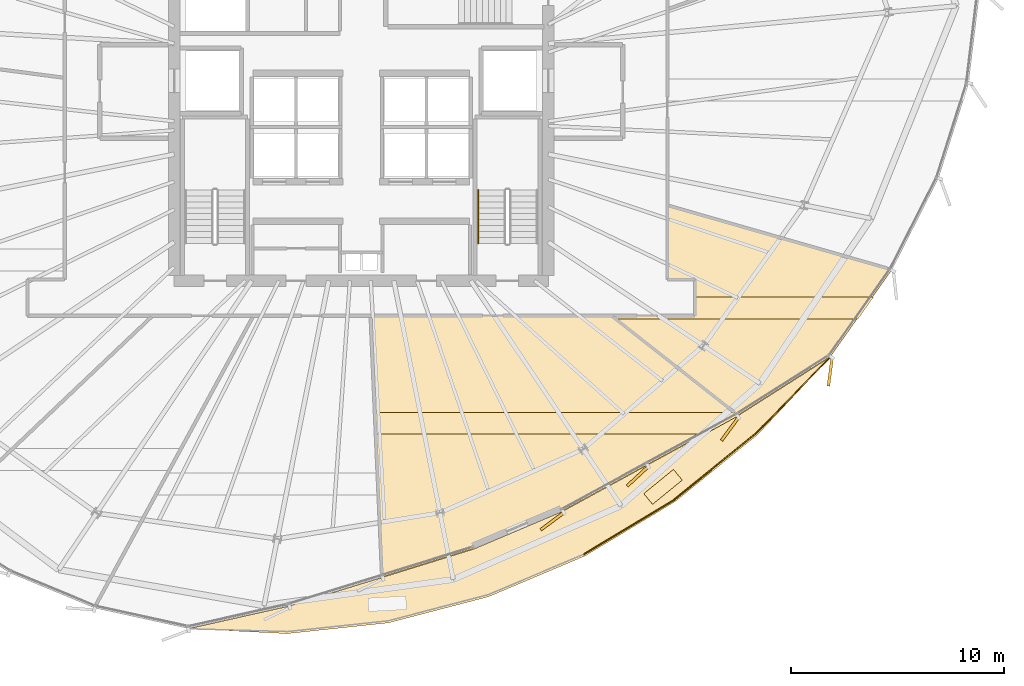
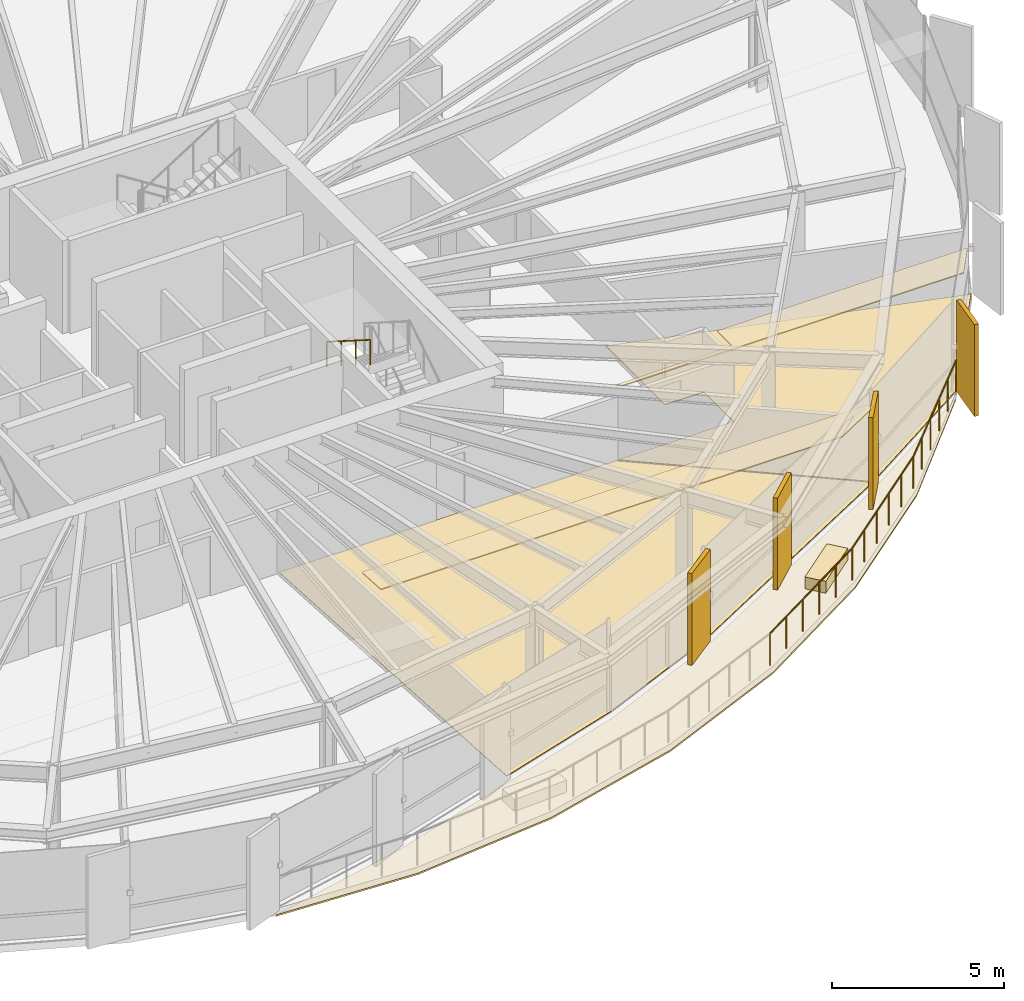
# One storey, part 34 of 36: 10 coverings, 4 railings.
"""IFC4 building model written with IfcOpenShell, lengths in metres."""

from ifc_helpers import new_model, si_unit, direction, frame, origin, origin_2d, place, context, subcontext, project, spatial, polyline, rectangle, circle, outline, extrude, source, transform, mapped, material, layer, layer_set, type_object, element, save


model = new_model("IFC4")

# Units and contexts
model_context = context("Model", 3, precision=1e-05, world=origin(), true_north=direction((0.0, 1.0)))
body_context = subcontext(model_context, "Body", "Model", "MODEL_VIEW")
ifc_project = project(units=[si_unit("LENGTHUNIT", "METRE"), si_unit("AREAUNIT", "SQUARE_METRE"), si_unit("VOLUMEUNIT", "CUBIC_METRE"), si_unit("PLANEANGLEUNIT", "RADIAN"), si_unit("MASSUNIT", "GRAM", prefix="KILO"), si_unit("THERMODYNAMICTEMPERATUREUNIT", "KELVIN")], contexts=[model_context])

# Site, building, storey
site_placement = place(None, origin())
site = spatial("IfcSite", under=ifc_project, at=site_placement, CompositionType="ELEMENT")
building_placement = place(site_placement, origin())
building = spatial("IfcBuilding", under=site, at=building_placement, Name="Kethvar Cultural Tower", CompositionType="ELEMENT")
storey_placement = place(building_placement, frame((0.0, 0.0, 143.0)))
storey = spatial("IfcBuildingStorey", under=building, at=storey_placement, Name="L36", CompositionType="ELEMENT", Elevation=143.0)

# Coverings
ifc_material_1 = material(Name="Acoustic Mineral Fibre Ceiling")
ifc_layer_1 = layer(ifc_material_1, 0.0400390625, Name="Acoustic Mineral Fibre Ceiling")
ifc_layer_set_1 = layer_set([ifc_layer_1], Name="Acoustic Mineral Fibre Ceiling (40 mm)")
covering_type_1 = type_object("IfcCoveringType", Name="CV-ACOUSTIC-CEIL", PredefinedType="CEILING", material=ifc_layer_set_1)
covering_1_placement = place(storey_placement, frame((0.0, 0.0, 2.669921875)))
element("IfcCovering", 1, at=covering_1_placement, inside=storey, type_object=covering_type_1, Name="L36 Room 03 Acoustic Ceiling Panel", PredefinedType="CEILING", context=body_context, shape_type="SweptSolid", body=[
    extrude(outline(polyline([(47.427001953125, 13.906494140625), (64.327392578125, 13.906494140625), (64.526123046875, 13.7392578125), (62.962890625, 12.87646484375), (47.47509765625, 12.87646484375), (47.427001953125, 13.906494140625)])), origin(), (0.0, 0.0, 1.0), 0.0400390625),
])
covering_2_placement = place(storey_placement, frame((0.0, 0.0, 2.669921875)))
element("IfcCovering", 2, at=covering_2_placement, inside=storey, type_object=covering_type_1, Name="L36 Room 04 Acoustic Ceiling Panel", PredefinedType="CEILING", context=body_context, shape_type="SweptSolid", body=[
    extrude(outline(polyline([(58.5615234375, 18.434326171875), (62.47998046875, 18.469970703125), (62.47998046875, 19.333984375), (70.89892578125, 19.333984375), (70.170654296875, 18.303955078125), (58.7255859375, 18.303955078125), (58.5615234375, 18.434326171875)])), origin(), (0.0, 0.0, 1.0), 0.0400390625),
])
ifc_material_2 = material(Name="Architectural Oak Timber", Category="wood")
ifc_layer_2 = layer(ifc_material_2, 0.02490234375, Name="Architectural Oak Timber", Category="wood")
ifc_layer_set_2 = layer_set([ifc_layer_2], Name="Architectural Oak Timber (25 mm)")
covering_type_2 = type_object("IfcCoveringType", Name="CV-OAK-FLOOR", PredefinedType="FLOORING", material=ifc_layer_set_2)
covering_3_placement = place(storey_placement, origin())
element("IfcCovering", 3, at=covering_3_placement, inside=storey, type_object=covering_type_2, Name="L36 Room 03 Floor Finish", PredefinedType="FLOORING", context=body_context, shape_type="SweptSolid", body=[
    extrude(outline(polyline([(64.47021484375, 13.7421875), (56.24755859375, 9.259033203125), (52.094482421875, 7.498046875), (47.8271484375, 6.175048828125), (47.256591796875, 18.429931640625), (58.56689453125, 18.429931640625), (64.47021484375, 13.7421875)])), origin(), (0.0, 0.0, 1.0), 0.02490234375),
])
covering_4_placement = place(storey_placement, origin())
element("IfcCovering", 4, at=covering_4_placement, inside=storey, type_object=covering_type_2, Name="L36 Room 04 Floor Finish", PredefinedType="FLOORING", context=body_context, shape_type="SweptSolid", body=[
    extrude(outline(polyline([(68.873779296875, 16.539794921875), (64.507568359375, 13.763671875), (58.63134765625, 18.429931640625), (62.517578125, 18.440673828125), (62.515380859375, 20.16259765625), (61.219970703125, 20.169921875), (61.219970703125, 23.614990234375), (71.73095703125, 20.579833984375), (68.873779296875, 16.539794921875)])), origin(), (0.0, 0.0, 1.0), 0.02490234375),
])
ifc_material_3 = material(Name="Insulated Waterproofing Membrane")
ifc_layer_3 = layer(ifc_material_3, 0.06005859375, Name="Insulated Waterproofing Membrane")
ifc_layer_set_3 = layer_set([ifc_layer_3], Name="Insulated Waterproofing Membrane (60 mm)")
covering_type_3 = type_object("IfcCoveringType", Name="CV-ROOF-MEMB", PredefinedType="ROOFING", material=ifc_layer_set_3)
covering_5_placement = place(storey_placement, frame((0.0, 0.0, -0.27490234375)))
element("IfcCovering", 5, at=covering_5_placement, inside=storey, type_object=covering_type_3, Name="L36 Terrace Waterproofing", PredefinedType="ROOFING", context=body_context, shape_type="SweptSolid", body=[
    extrude(outline(polyline([(38.667236328125, 3.727783203125), (43.316650390625, 3.495849609375), (48.072021484375, 4.002197265625), (52.78857421875, 5.23193359375), (57.322998046875, 7.147216796875), (61.56494140625, 9.70361328125), (65.451416015625, 12.857666015625), (68.887939453125, 16.52490234375), (64.506103515625, 13.739013671875), (60.263916015625, 11.430419921875), (56.25634765625, 9.240966796875), (52.101318359375, 7.479248046875), (47.808349609375, 6.148193359375), (43.38427734375, 4.78662109375), (38.667236328125, 3.727783203125)])), origin(), (0.0, 0.0, 1.0), 0.059814453125),
])

# Railings
ifc_material_4 = material(Name="Steel S355J2", Category="steel")
railing_type_1 = type_object("IfcRailingType", Name="RL-EXT-GUARD-1150", PredefinedType="BALUSTRADE", material=ifc_material_4)
railing_1_placement = place(storey_placement, frame((57.277587890625, 7.236328125, 0.0)))
element("IfcRailing", 6, at=railing_1_placement, inside=storey, type_object=railing_type_1, Name="L36 Spiralling Terrace Balustrade 05", PredefinedType="BALUSTRADE", context=body_context, shape_type="SweptSolid", body=[
    extrude(circle(Radius=0.02392578125, at=origin_2d()), frame((0.0, 0.0, 1.1259765625), z_axis=(0.85655671632, 0.51605289625, 0.0), x_axis=(-0.51605289625, 0.85655671632, 0.0)), (0.0, 0.0, 1.0), 4.931396484375),
    extrude(circle(Radius=0.02099609375, at=origin_2d()), origin(), (0.0, 0.0, 1.0), 1.101806640625),
    extrude(circle(Radius=0.02099609375, at=origin_2d()), frame((0.8447265625, 0.509033203125, 0.0)), (0.0, 0.0, 1.0), 1.101806640625),
    extrude(circle(Radius=0.02099609375, at=origin_2d()), frame((1.689697265625, 1.01806640625, 0.0)), (0.0, 0.0, 1.0), 1.101806640625),
    extrude(circle(Radius=0.02099609375, at=origin_2d()), frame((2.534423828125, 1.52685546875, 0.0)), (0.0, 0.0, 1.0), 1.101806640625),
    extrude(circle(Radius=0.02099609375, at=origin_2d()), frame((3.37939453125, 2.035888671875, 0.0)), (0.0, 0.0, 1.0), 1.101806640625),
    extrude(circle(Radius=0.02099609375, at=origin_2d()), frame((4.22412109375, 2.544921875, 0.0)), (0.0, 0.0, 1.0), 1.101806640625),
])
railing_2_placement = place(storey_placement, frame((61.501708984375, 9.78125, 0.0)))
element("IfcRailing", 7, at=railing_2_placement, inside=storey, type_object=railing_type_1, Name="L36 Spiralling Terrace Balustrade 06", PredefinedType="BALUSTRADE", context=body_context, shape_type="SweptSolid", body=[
    extrude(circle(Radius=0.02392578125, at=origin_2d()), frame((0.0, 0.0, 1.1259765625), z_axis=(0.776775825182, 0.629777196643, 0.0), x_axis=(-0.629777196643, 0.776775825182, 0.0)), (0.0, 0.0, 1.0), 4.984130859375),
    extrude(circle(Radius=0.02099609375, at=origin_2d()), origin(), (0.0, 0.0, 1.0), 1.101806640625),
    extrude(circle(Radius=0.02099609375, at=origin_2d()), frame((0.7744140625, 0.627685546875, 0.0)), (0.0, 0.0, 1.0), 1.101806640625),
    extrude(circle(Radius=0.02099609375, at=origin_2d()), frame((1.548583984375, 1.255615234375, 0.0)), (0.0, 0.0, 1.0), 1.101806640625),
    extrude(circle(Radius=0.02099609375, at=origin_2d()), frame((2.322998046875, 1.88330078125, 0.0)), (0.0, 0.0, 1.0), 1.101806640625),
    extrude(circle(Radius=0.02099609375, at=origin_2d()), frame((3.09716796875, 2.51123046875, 0.0)), (0.0, 0.0, 1.0), 1.101806640625),
    extrude(circle(Radius=0.02099609375, at=origin_2d()), frame((3.87158203125, 3.138916015625, 0.0)), (0.0, 0.0, 1.0), 1.101806640625),
])
railing_3_placement = place(storey_placement, frame((65.373291015625, 12.920166015625, 0.0)))
element("IfcRailing", 8, at=railing_3_placement, inside=storey, type_object=railing_type_1, Name="L36 Spiralling Terrace Balustrade 07", PredefinedType="BALUSTRADE", context=body_context, shape_type="SweptSolid", body=[
    extrude(circle(Radius=0.02392578125, at=origin_2d()), frame((0.0, 0.0, 1.1259765625), z_axis=(0.698103243644, 0.715997109781, 0.0), x_axis=(-0.715997109781, 0.698103243644, 0.0)), (0.0, 0.0, 1.0), 5.03466796875),
    extrude(circle(Radius=0.02099609375, at=origin_2d()), origin(), (0.0, 0.0, 1.0), 1.101806640625),
    extrude(circle(Radius=0.02099609375, at=origin_2d()), frame((0.702880859375, 0.720947265625, 0.0)), (0.0, 0.0, 1.0), 1.101806640625),
    extrude(circle(Radius=0.02099609375, at=origin_2d()), frame((1.40576171875, 1.44189453125, 0.0)), (0.0, 0.0, 1.0), 1.101806640625),
    extrude(circle(Radius=0.02099609375, at=origin_2d()), frame((2.10888671875, 2.162841796875, 0.0)), (0.0, 0.0, 1.0), 1.101806640625),
    extrude(circle(Radius=0.02099609375, at=origin_2d()), frame((2.811767578125, 2.8837890625, 0.0)), (0.0, 0.0, 1.0), 1.101806640625),
    extrude(circle(Radius=0.02099609375, at=origin_2d()), frame((3.5146484375, 3.604736328125, 0.0)), (0.0, 0.0, 1.0), 1.101806640625),
])
railing_type_2 = type_object("IfcRailingType", Name="RL-STAIR-HANDRAIL", PredefinedType="HANDRAIL", material=ifc_material_4)
railing_4_placement = place(storey_placement, frame((52.300048828125, 24.3701171875, 1.952392578125)))
element("IfcRailing", 9, at=railing_4_placement, inside=storey, type_object=railing_type_2, Name="L36 ST-02 stair handrail 2", PredefinedType="HANDRAIL", context=body_context, shape_type="SweptSolid", body=[
    extrude(circle(Radius=0.02392578125, at=origin_2d()), frame((0.0, 0.0, 0.8759765625), z_axis=(0.0, -0.84456994832, 0.535445237532), x_axis=(1.0, 0.0, 0.0)), (0.0, 0.0, 1.0), 2.98388671875),
    extrude(circle(Radius=0.02099609375, at=origin_2d()), origin(), (0.0, 0.0, 1.0), 0.851806640625),
    extrude(circle(Radius=0.02099609375, at=origin_2d()), frame((0.0, -0.840087890625, 0.532470703125)), (0.0, 0.0, 1.0), 0.851806640625),
    extrude(circle(Radius=0.02099609375, at=origin_2d()), frame((0.0, -1.679931640625, 1.065185546875)), (0.0, 0.0, 1.0), 0.851806640625),
    extrude(circle(Radius=0.02099609375, at=origin_2d()), frame((0.0, -2.52001953125, 1.59765625)), (0.0, 0.0, 1.0), 0.851806640625),
])

# Coverings
ifc_material_5 = material(Name="Extruded Architectural Terracotta", Category="masonry")
ifc_layer_4 = layer(ifc_material_5, 0.419921875, Name="Extruded Architectural Terracotta", Category="masonry")
ifc_layer_set_4 = layer_set([ifc_layer_4], Name="Extruded Architectural Terracotta (420 mm)")
covering_type_4 = type_object("IfcCoveringType", Name="Terracotta Terrace Planter PLANTER-01", PredefinedType="USERDEFINED", material=ifc_layer_set_4)
shared_shape_1 = source(origin(), body_context, "Body", "SweptSolid", [
    extrude(rectangle(XDim=1.800048828125, YDim=0.64990234375, at=origin_2d()), origin(), (0.0, 0.0, 1.0), 0.419921875),
])
covering_6_placement = place(storey_placement, frame((60.995849609375, 10.40087890625, 0.0), z_axis=(0.0, 0.0, 1.0), x_axis=(0.774834166979, 0.632164546366, 0.0)))
element("IfcCovering", 10, at=covering_6_placement, inside=storey, type_object=covering_type_4, Name="L36 Sky Terrace Planter Box B", ObjectType="PLANTER", PredefinedType="USERDEFINED", context=body_context, shape_type="MappedRepresentation", body=[
    mapped(shared_shape_1, transform((0.0, 0.0, 0.0), scale=1.0)),
])
ifc_layer_5 = layer(ifc_material_5, 0.135009765625, Name="Extruded Architectural Terracotta", Category="masonry")
ifc_layer_set_5 = layer_set([ifc_layer_5], Name="Extruded Architectural Terracotta (135 mm)")
covering_type_5 = type_object("IfcCoveringType", Name="Terracotta Facade Fin FIN-02", PredefinedType="CLADDING", material=ifc_layer_set_5)
shared_shape_2 = source(origin(), body_context, "Body", "SweptSolid", [
    extrude(rectangle(XDim=1.35009765625, YDim=0.135009765625, at=origin_2d()), origin(), (0.0, 0.0, 1.0), 3.260009765625),
])
for number, where, z_axis, x_axis, name in (
    (11, (55.78759765625, 8.786376953125, 0.02001953125), (0.0, 0.0, 1.0), (-0.802088450119, -0.597205256328, 0.0), "L36 Vertical Terracotta Fin 6.1"),
    (12, (59.806640625, 10.901611328125, 0.02001953125), (0.0, 0.0, 1.0), (-0.733848438205, -0.679313233894, 0.0), "L36 Vertical Terracotta Fin 6.2"),
    (13, (64.1494140625, 13.127685546875, 0.02001953125), (0.0, 0.0, 1.0), (-0.592013178799, -0.805928282249, 0.0), "L36 Vertical Terracotta Fin 6.3"),
    (14, (68.864013671875, 15.809814453125, 0.02001953125), (0.0, 0.0, 1.0), (-0.132256390257, -0.991215540252, 0.0), "L36 Vertical Terracotta Fin 6.4"),
):
    element("IfcCovering", number, at=place(storey_placement, frame(where, z_axis=z_axis, x_axis=x_axis)), inside=storey, type_object=covering_type_5, Name=name, PredefinedType="CLADDING", context=body_context, shape_type="MappedRepresentation", body=[
        mapped(shared_shape_2, transform((0.0, 0.0, 0.0), scale=1.0)),
    ])

save(model, "model.ifc")
